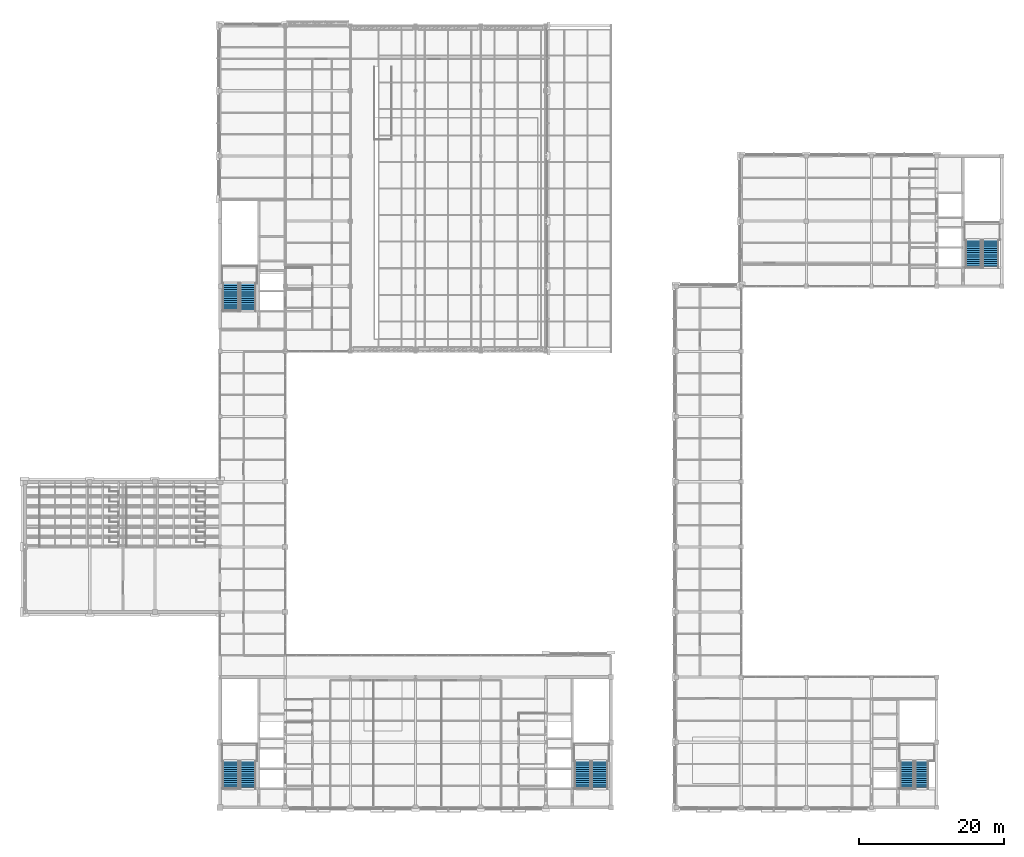
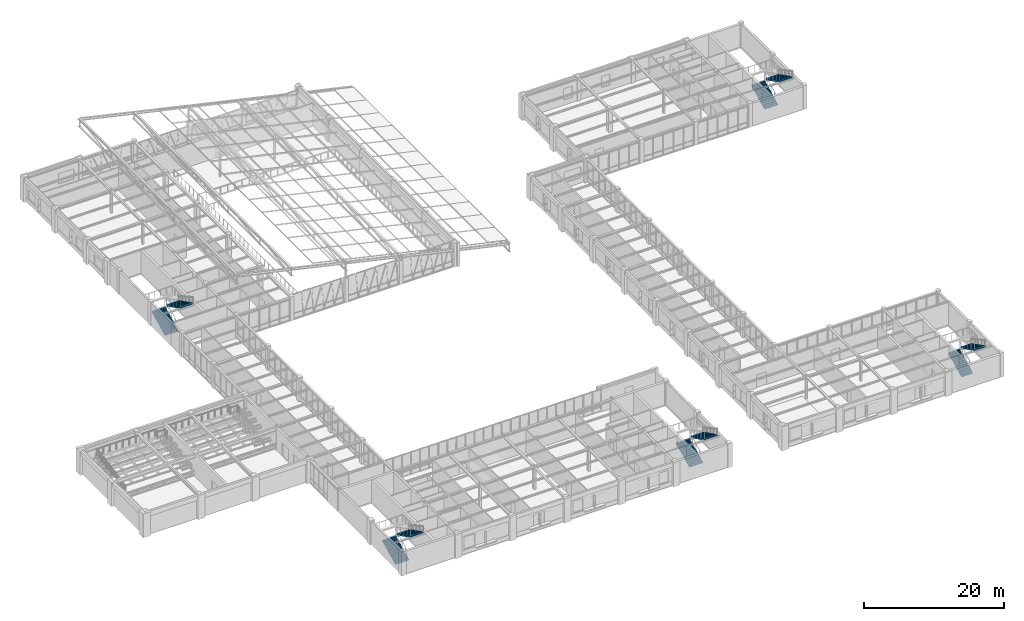
# One storey, part 117 of 130: 10 stair flights, 5 elements without a shape of their own.
"""IFC4 building model written with IfcOpenShell, lengths in metres."""

import ifcopenshell
import ifcopenshell.guid

model = None  # the IFC model being written
_history = None  # IfcOwnerHistory: only IFC2X3 demands one
_inside = {}  # id of a spatial element -> (the spatial element, [elements in it])
_under = {}  # id of a project, library or spatial element -> (it, [spatial elements below it])
_declared = {}  # id of a project -> (the project, [libraries it declares])
_typed = {}  # id of a type object -> (the type object, [elements of that type])
_made_of = {}  # id of a material, layer set ... -> (it, [elements and type objects made of it])


def new_model(schema):
    """Start an empty IFC model of exactly this schema.

    Asked for "IFC4X3", IfcOpenShell would pick the latest addendum, in which some entities
    have other attributes; the version numbers below select the first issue.
    IFC2X3 requires an IfcOwnerHistory on every rooted entity: one is made here for all.
    """
    global model, _history
    if schema == "IFC4X3":
        model = ifcopenshell.file(schema_version=(4, 3, 0, 0))
    else:
        model = ifcopenshell.file(schema=schema)
    _inside.clear()
    _under.clear()
    _declared.clear()
    _typed.clear()
    _made_of.clear()
    _history = None
    if model.schema == "IFC2X3":
        org = make("IfcOrganization", Name="unknown")
        user = make(
            "IfcPersonAndOrganization",
            ThePerson=make("IfcPerson", FamilyName="unknown"),
            TheOrganization=org,
        )
        app = make(
            "IfcApplication",
            ApplicationDeveloper=org,
            Version="unknown",
            ApplicationFullName="unknown",
            ApplicationIdentifier="unknown",
        )
        _history = make(
            "IfcOwnerHistory",
            OwningUser=user,
            OwningApplication=app,
            ChangeAction="ADDED",
            CreationDate=0,
        )
    return model


def make(cls, **values):
    """One entity of the class cls with the attributes given. An attribute that is None is left unset."""
    return model.create_entity(
        cls, **{name: value for name, value in values.items() if value is not None}
    )


def rooted(cls, **values):
    """An entity with a GlobalId (a new one), such as an element, a storey or a relation."""
    return make(cls, GlobalId=ifcopenshell.guid.new(), OwnerHistory=_history, **values)


def si_unit(unit_type, name, prefix=None):
    """IfcSIUnit, for example si_unit("LENGTHUNIT", "METRE", prefix="MILLI")."""
    return make("IfcSIUnit", UnitType=unit_type, Prefix=prefix, Name=name)


def assignment(units):
    """IfcUnitAssignment: the units of a project."""
    return None if units is None else make("IfcUnitAssignment", Units=units)


def point(xyz):
    """IfcCartesianPoint."""
    return None if xyz is None else make("IfcCartesianPoint", Coordinates=xyz)


def direction(xyz):
    """IfcDirection."""
    return None if xyz is None else make("IfcDirection", DirectionRatios=xyz)


def frame(location, z_axis=None, x_axis=None):
    """IfcAxis2Placement3D, a coordinate frame: its origin and axes. An axis left out is left unset."""
    return make(
        "IfcAxis2Placement3D",
        Location=point(location),
        Axis=direction(z_axis),
        RefDirection=direction(x_axis),
    )


def origin():
    """The frame at (0, 0, 0) with its axes left unset."""
    return frame((0.0, 0.0, 0.0))


def place(relative_to, where):
    """IfcLocalPlacement: puts the frame where relative to a parent placement (None: the world)."""
    return make(
        "IfcLocalPlacement", PlacementRelTo=relative_to, RelativePlacement=where
    )


def context(
    kind, dimensions, precision=None, world=None, true_north=None, identifier=None
):
    """IfcGeometricRepresentationContext, for example the 3D "Model" context."""
    return make(
        "IfcGeometricRepresentationContext",
        ContextIdentifier=identifier,
        ContextType=kind,
        CoordinateSpaceDimension=dimensions,
        Precision=precision,
        WorldCoordinateSystem=world,
        TrueNorth=true_north,
    )


def subcontext(parent, identifier, kind, view, scale=None):
    """IfcGeometricRepresentationSubContext, for example "Body" below "Model"."""
    return make(
        "IfcGeometricRepresentationSubContext",
        ContextIdentifier=identifier,
        ContextType=kind,
        ParentContext=parent,
        TargetScale=scale,
        TargetView=view,
    )


def project(units=None, contexts=None):
    """IfcProject with its units and contexts."""
    return rooted(
        "IfcProject",
        Name="project",
        RepresentationContexts=contexts,
        UnitsInContext=assignment(units),
    )


def spatial(cls, under=None, at=None, **own):
    """A site, building, storey or space (cls), placed at a placement, below another one or the project."""
    s = rooted(cls, ObjectPlacement=at, **own)
    if under is not None:
        _under.setdefault(under.id(), (under, []))[1].append(s)
    return s


def polyline(points):
    """IfcPolyline through the points."""
    return make("IfcPolyline", Points=[point(p) for p in points])


def outline(outer, holes=None, kind="AREA"):
    """IfcArbitraryClosedProfileDef: a profile drawn as a closed curve; with holes, ...WithVoids."""
    if holes is None:
        return make("IfcArbitraryClosedProfileDef", ProfileType=kind, OuterCurve=outer)
    return make(
        "IfcArbitraryProfileDefWithVoids",
        ProfileType=kind,
        OuterCurve=outer,
        InnerCurves=holes,
    )


def extrude(swept, where, along, depth):
    """IfcExtrudedAreaSolid: the profile swept, set in the frame where, extruded along a direction by depth."""
    return make(
        "IfcExtrudedAreaSolid",
        SweptArea=swept,
        Position=where,
        ExtrudedDirection=direction(along),
        Depth=depth,
    )


def shape(context_of_items, identifier, shape_type, items):
    """IfcShapeRepresentation: the items that make up one representation, for example the "Body"."""
    return make(
        "IfcShapeRepresentation",
        ContextOfItems=context_of_items,
        RepresentationIdentifier=identifier,
        RepresentationType=shape_type,
        Items=items,
    )


def material(Name=None, Category=None):
    """IfcMaterial."""
    return make("IfcMaterial", Name=Name, Category=Category)


def layer(
    of_material, thickness, ventilated=None, Name=None, Category=None, Priority=None
):
    """IfcMaterialLayer: one layer of a wall or slab, of a material (None: an air gap)."""
    return make(
        "IfcMaterialLayer",
        Material=of_material,
        LayerThickness=thickness,
        IsVentilated=ventilated,
        Name=Name,
        Category=Category,
        Priority=Priority,
    )


def layer_set(layers, Name=None):
    """IfcMaterialLayerSet."""
    return make("IfcMaterialLayerSet", MaterialLayers=layers, LayerSetName=Name)


def made_of(thing, what):
    """Note that an element or type object is made of a material, layer set ...; save() writes the relation."""
    if what is not None:
        _made_of.setdefault(what.id(), (what, []))[1].append(thing)
    return thing


def type_object(cls, material=None, **own):
    """A type object (cls), such as IfcWallType, which elements share."""
    return made_of(rooted(cls, **own), material)


def element(
    cls,
    number,
    at=None,
    inside=None,
    cuts=None,
    type_object=None,
    material=None,
    context=None,
    identifier="Body",
    shape_type=None,
    held_by="IfcProductDefinitionShape",
    body=None,
    shapes=None,
    **own,
):
    """One element of the class cls, such as IfcWall. Its Tag is "e" and its number.

    at: its placement. inside: the storey or other place that contains it. cuts: it is an
    opening in that element (IfcRelVoidsElement). A single representation is given by context,
    identifier, shape_type and body (its items); several are given by shapes. held_by: the class
    of the entity that holds the representations. save() writes the other relations.
    """
    e = rooted(cls, Tag="e%d" % number, ObjectPlacement=at, **own)
    if body is not None:
        shapes = [shape(context, identifier, shape_type, body)]
    if shapes is not None:
        e.Representation = make(held_by, Representations=shapes)
    if inside is not None:
        _inside.setdefault(inside.id(), (inside, []))[1].append(e)
    if cuts is not None:
        rooted(
            "IfcRelVoidsElement", RelatingBuildingElement=cuts, RelatedOpeningElement=e
        )
    if type_object is not None:
        _typed.setdefault(type_object.id(), (type_object, []))[1].append(e)
    return made_of(e, material)


def aggregate(whole, parts):
    """IfcRelAggregates: a whole, such as a stair, and the parts it consists of."""
    return rooted("IfcRelAggregates", RelatingObject=whole, RelatedObjects=parts)


def save(model, path):
    """Write the relations noted so far, then the file.

    IfcRelAggregates (storeys below a building ...), IfcRelContainedInSpatialStructure (elements
    in a storey), IfcRelDefinesByType, IfcRelAssociatesMaterial and IfcRelDeclares: one each for
    every whole, place, type object, material and project.
    """
    for whole, parts in _under.values():
        aggregate(whole, parts)
    for where, things in _inside.values():
        rooted(
            "IfcRelContainedInSpatialStructure",
            RelatedElements=things,
            RelatingStructure=where,
        )
    for kind, things in _typed.values():
        rooted("IfcRelDefinesByType", RelatedObjects=things, RelatingType=kind)
    for what, things in _made_of.values():
        rooted("IfcRelAssociatesMaterial", RelatedObjects=things, RelatingMaterial=what)
    for by, libraries in _declared.values():
        rooted("IfcRelDeclares", RelatingContext=by, RelatedDefinitions=libraries)
    model.write(path)


model = new_model("IFC4")

# Units and contexts
model_context = context("Model", 3, precision=1e-05, world=origin(), true_north=direction((0.0, 1.0)))
body_context = subcontext(model_context, "Body", "Model", "MODEL_VIEW")
ifc_project = project(units=[si_unit("LENGTHUNIT", "METRE"), si_unit("AREAUNIT", "SQUARE_METRE"), si_unit("VOLUMEUNIT", "CUBIC_METRE"), si_unit("PLANEANGLEUNIT", "RADIAN"), si_unit("MASSUNIT", "GRAM", prefix="KILO")], contexts=[model_context])

# Site, building, storey
site_placement = place(None, origin())
site = spatial("IfcSite", under=ifc_project, at=site_placement, CompositionType="ELEMENT")
building_placement = place(site_placement, origin())
building = spatial("IfcBuilding", under=site, at=building_placement, Name="Lykobir Media Centre", CompositionType="ELEMENT")
storey_placement = place(building_placement, frame((0.0, 0.0, 19.199951171875)))
storey = spatial("IfcBuildingStorey", under=building, at=storey_placement, Name="L04", CompositionType="ELEMENT", Elevation=19.199951171875)

# Stair, stair flights
ifc_material = material(Name="Concrete C30/37", Category="concrete")
stair_type_1 = type_object("IfcStairType", Name="ST-AUX-420", PredefinedType="HALF_TURN_STAIR", material=ifc_material)
stair_1_placement = place(storey_placement, origin())
stair_1 = element("IfcStair", 1, at=stair_1_placement, inside=storey, type_object=stair_type_1, Name="Escape stair ST-5 L04", PredefinedType="HALF_TURN_STAIR")
ifc_layer_1 = layer(ifc_material, 0.14990234375, Name="Concrete C30/37")
ifc_layer_set_1 = layer_set([ifc_layer_1], Name="Concrete C30/37")
stair_flight_type_1 = type_object("IfcStairFlightType", Name="FL-185-14", PredefinedType="STRAIGHT", material=ifc_layer_set_1)
stair_flight_1_placement = place(storey_placement, frame((121.89501953125, 2.530029296875, 0.0), z_axis=(0.0, 0.0, 1.0), x_axis=(0.0, 1.0, 0.0)))
stair_flight_1 = element("IfcStairFlight", 2, at=stair_flight_1_placement, type_object=stair_flight_type_1, Name="ST-5-L04 flight 1", NumberOfRisers=14, NumberOfTreads=13, PredefinedType="STRAIGHT", RiserHeight=0.15, TreadLength=0.3, context=body_context, shape_type="SweptSolid", body=[
    extrude(outline(polyline([(0.0, 0.0), (0.0, 0.14990234375), (0.300048828125, 0.14990234375), (0.300048828125, 0.300048828125), (0.60009765625, 0.300048828125), (0.60009765625, 0.449951171875), (0.89990234375, 0.449951171875), (0.89990234375, 0.60009765625), (1.199951171875, 0.60009765625), (1.199951171875, 0.75), (1.5, 0.75), (1.5, 0.89990234375), (1.800048828125, 0.89990234375), (1.800048828125, 1.050048828125), (2.10009765625, 1.050048828125), (2.10009765625, 1.199951171875), (2.39990234375, 1.199951171875), (2.39990234375, 1.35009765625), (2.699951171875, 1.35009765625), (2.699951171875, 1.5), (3.0, 1.5), (3.0, 1.64990234375), (3.300048828125, 1.64990234375), (3.300048828125, 1.800048828125), (3.60009765625, 1.800048828125), (3.60009765625, 1.949951171875), (3.89990234375, 1.949951171875), (3.89990234375, 2.10009765625), (3.89990234375, 1.771240234375), (0.357666015625, 0.0), (0.0, 0.0)])), frame((0.0, 0.925048828125, 0.0), z_axis=(0.0, -1.0, 0.0), x_axis=(1.0, 0.0, 0.0)), (0.0, 0.0, 1.0), 1.85009765625),
])
stair_flight_2_placement = place(storey_placement, frame((123.945068359375, 6.429931640625, 2.10009765625), z_axis=(0.0, 0.0, 1.0), x_axis=(0.0, -1.0, 0.0)))
stair_flight_2 = element("IfcStairFlight", 3, at=stair_flight_2_placement, type_object=stair_flight_type_1, Name="ST-5-L04 flight 2", NumberOfRisers=14, NumberOfTreads=13, PredefinedType="STRAIGHT", RiserHeight=0.15, TreadLength=0.3, context=body_context, shape_type="SweptSolid", body=[
    extrude(outline(polyline([(0.0, 0.0), (0.0, 0.14990234375), (0.300048828125, 0.14990234375), (0.300048828125, 0.300048828125), (0.60009765625, 0.300048828125), (0.60009765625, 0.449951171875), (0.89990234375, 0.449951171875), (0.89990234375, 0.60009765625), (1.199951171875, 0.60009765625), (1.199951171875, 0.75), (1.5, 0.75), (1.5, 0.89990234375), (1.800048828125, 0.89990234375), (1.800048828125, 1.050048828125), (2.10009765625, 1.050048828125), (2.10009765625, 1.199951171875), (2.39990234375, 1.199951171875), (2.39990234375, 1.35009765625), (2.699951171875, 1.35009765625), (2.699951171875, 1.5), (3.0, 1.5), (3.0, 1.64990234375), (3.300048828125, 1.64990234375), (3.300048828125, 1.800048828125), (3.60009765625, 1.800048828125), (3.60009765625, 1.949951171875), (3.89990234375, 1.949951171875), (3.89990234375, 2.10009765625), (3.89990234375, 1.771240234375), (0.357666015625, 0.0), (0.0, 0.0)])), frame((0.0, 0.925048828125, 0.0), z_axis=(0.0, -1.0, 0.0), x_axis=(1.0, 0.0, 0.0)), (0.0, 0.0, 1.0), 1.85009765625),
])
aggregate(stair_1, [stair_flight_1, stair_flight_2])

stair_type_2 = type_object("IfcStairType", Name="ST-HT-420", PredefinedType="HALF_TURN_STAIR", material=ifc_material)
stair_2_placement = place(storey_placement, origin())
stair_2 = element("IfcStair", 4, at=stair_2_placement, inside=storey, type_object=stair_type_2, Name="Escape stair ST-1 L04", PredefinedType="HALF_TURN_STAIR")
ifc_layer_2 = layer(ifc_material, 0.14990234375, Name="Concrete C30/37")
ifc_layer_set_2 = layer_set([ifc_layer_2], Name="Concrete C30/37")
stair_flight_type_2 = type_object("IfcStairFlightType", Name="FL-220-14", PredefinedType="STRAIGHT", material=ifc_layer_set_2)
stair_flight_3_placement = place(storey_placement, frame((28.469970703125, 2.530029296875, 0.0), z_axis=(0.0, 0.0, 1.0), x_axis=(0.0, 1.0, 0.0)))
stair_flight_3 = element("IfcStairFlight", 5, at=stair_flight_3_placement, type_object=stair_flight_type_2, Name="ST-1-L04 flight 1", NumberOfRisers=14, NumberOfTreads=13, PredefinedType="STRAIGHT", RiserHeight=0.15, TreadLength=0.3, context=body_context, shape_type="SweptSolid", body=[
    extrude(outline(polyline([(0.0, 0.0), (0.0, 0.14990234375), (0.300048828125, 0.14990234375), (0.300048828125, 0.300048828125), (0.60009765625, 0.300048828125), (0.60009765625, 0.449951171875), (0.89990234375, 0.449951171875), (0.89990234375, 0.60009765625), (1.199951171875, 0.60009765625), (1.199951171875, 0.75), (1.5, 0.75), (1.5, 0.89990234375), (1.800048828125, 0.89990234375), (1.800048828125, 1.050048828125), (2.10009765625, 1.050048828125), (2.10009765625, 1.199951171875), (2.39990234375, 1.199951171875), (2.39990234375, 1.35009765625), (2.699951171875, 1.35009765625), (2.699951171875, 1.5), (3.0, 1.5), (3.0, 1.64990234375), (3.300048828125, 1.64990234375), (3.300048828125, 1.800048828125), (3.60009765625, 1.800048828125), (3.60009765625, 1.949951171875), (3.89990234375, 1.949951171875), (3.89990234375, 2.10009765625), (3.89990234375, 1.771240234375), (0.357666015625, 0.0), (0.0, 0.0)])), frame((0.0, 1.10009765625, 0.0), z_axis=(0.0, -1.0, 0.0), x_axis=(1.0, 0.0, 0.0)), (0.0, 0.0, 1.0), 2.199951171875),
])
stair_flight_4_placement = place(storey_placement, frame((30.8701171875, 6.429931640625, 2.10009765625), z_axis=(0.0, 0.0, 1.0), x_axis=(0.0, -1.0, 0.0)))
stair_flight_4 = element("IfcStairFlight", 6, at=stair_flight_4_placement, type_object=stair_flight_type_2, Name="ST-1-L04 flight 2", NumberOfRisers=14, NumberOfTreads=13, PredefinedType="STRAIGHT", RiserHeight=0.15, TreadLength=0.3, context=body_context, shape_type="SweptSolid", body=[
    extrude(outline(polyline([(0.0, 0.0), (0.0, 0.14990234375), (0.300048828125, 0.14990234375), (0.300048828125, 0.300048828125), (0.60009765625, 0.300048828125), (0.60009765625, 0.449951171875), (0.89990234375, 0.449951171875), (0.89990234375, 0.60009765625), (1.199951171875, 0.60009765625), (1.199951171875, 0.75), (1.5, 0.75), (1.5, 0.89990234375), (1.800048828125, 0.89990234375), (1.800048828125, 1.050048828125), (2.10009765625, 1.050048828125), (2.10009765625, 1.199951171875), (2.39990234375, 1.199951171875), (2.39990234375, 1.35009765625), (2.699951171875, 1.35009765625), (2.699951171875, 1.5), (3.0, 1.5), (3.0, 1.64990234375), (3.300048828125, 1.64990234375), (3.300048828125, 1.800048828125), (3.60009765625, 1.800048828125), (3.60009765625, 1.949951171875), (3.89990234375, 1.949951171875), (3.89990234375, 2.10009765625), (3.89990234375, 1.771240234375), (0.357666015625, 0.0), (0.0, 0.0)])), frame((0.0, 1.10009765625, 0.0), z_axis=(0.0, -1.0, 0.0), x_axis=(1.0, 0.0, 0.0)), (0.0, 0.0, 1.0), 2.199951171875),
])
aggregate(stair_2, [stair_flight_3, stair_flight_4])

stair_3_placement = place(storey_placement, origin())
stair_3 = element("IfcStair", 7, at=stair_3_placement, inside=storey, type_object=stair_type_2, Name="Escape stair ST-2 L04", PredefinedType="HALF_TURN_STAIR")
stair_flight_5_placement = place(storey_placement, frame((77.070068359375, 2.530029296875, 0.0), z_axis=(0.0, 0.0, 1.0), x_axis=(0.0, 1.0, 0.0)))
stair_flight_5 = element("IfcStairFlight", 8, at=stair_flight_5_placement, type_object=stair_flight_type_2, Name="ST-2-L04 flight 1", NumberOfRisers=14, NumberOfTreads=13, PredefinedType="STRAIGHT", RiserHeight=0.15, TreadLength=0.3, context=body_context, shape_type="SweptSolid", body=[
    extrude(outline(polyline([(0.0, 0.0), (0.0, 0.14990234375), (0.300048828125, 0.14990234375), (0.300048828125, 0.300048828125), (0.60009765625, 0.300048828125), (0.60009765625, 0.449951171875), (0.89990234375, 0.449951171875), (0.89990234375, 0.60009765625), (1.199951171875, 0.60009765625), (1.199951171875, 0.75), (1.5, 0.75), (1.5, 0.89990234375), (1.800048828125, 0.89990234375), (1.800048828125, 1.050048828125), (2.10009765625, 1.050048828125), (2.10009765625, 1.199951171875), (2.39990234375, 1.199951171875), (2.39990234375, 1.35009765625), (2.699951171875, 1.35009765625), (2.699951171875, 1.5), (3.0, 1.5), (3.0, 1.64990234375), (3.300048828125, 1.64990234375), (3.300048828125, 1.800048828125), (3.60009765625, 1.800048828125), (3.60009765625, 1.949951171875), (3.89990234375, 1.949951171875), (3.89990234375, 2.10009765625), (3.89990234375, 1.771240234375), (0.357666015625, 0.0), (0.0, 0.0)])), frame((0.0, 1.10009765625, 0.0), z_axis=(0.0, -1.0, 0.0), x_axis=(1.0, 0.0, 0.0)), (0.0, 0.0, 1.0), 2.199951171875),
])
stair_flight_6_placement = place(storey_placement, frame((79.469970703125, 6.429931640625, 2.10009765625), z_axis=(0.0, 0.0, 1.0), x_axis=(0.0, -1.0, 0.0)))
stair_flight_6 = element("IfcStairFlight", 9, at=stair_flight_6_placement, type_object=stair_flight_type_2, Name="ST-2-L04 flight 2", NumberOfRisers=14, NumberOfTreads=13, PredefinedType="STRAIGHT", RiserHeight=0.15, TreadLength=0.3, context=body_context, shape_type="SweptSolid", body=[
    extrude(outline(polyline([(0.0, 0.0), (0.0, 0.14990234375), (0.300048828125, 0.14990234375), (0.300048828125, 0.300048828125), (0.60009765625, 0.300048828125), (0.60009765625, 0.449951171875), (0.89990234375, 0.449951171875), (0.89990234375, 0.60009765625), (1.199951171875, 0.60009765625), (1.199951171875, 0.75), (1.5, 0.75), (1.5, 0.89990234375), (1.800048828125, 0.89990234375), (1.800048828125, 1.050048828125), (2.10009765625, 1.050048828125), (2.10009765625, 1.199951171875), (2.39990234375, 1.199951171875), (2.39990234375, 1.35009765625), (2.699951171875, 1.35009765625), (2.699951171875, 1.5), (3.0, 1.5), (3.0, 1.64990234375), (3.300048828125, 1.64990234375), (3.300048828125, 1.800048828125), (3.60009765625, 1.800048828125), (3.60009765625, 1.949951171875), (3.89990234375, 1.949951171875), (3.89990234375, 2.10009765625), (3.89990234375, 1.771240234375), (0.357666015625, 0.0), (0.0, 0.0)])), frame((0.0, 1.10009765625, 0.0), z_axis=(0.0, -1.0, 0.0), x_axis=(1.0, 0.0, 0.0)), (0.0, 0.0, 1.0), 2.199951171875),
])
aggregate(stair_3, [stair_flight_5, stair_flight_6])

stair_4_placement = place(storey_placement, origin())
stair_4 = element("IfcStair", 10, at=stair_4_placement, inside=storey, type_object=stair_type_2, Name="Escape stair ST-3 L04", PredefinedType="HALF_TURN_STAIR")
stair_flight_7_placement = place(storey_placement, frame((28.469970703125, 68.530029296875, 0.0), z_axis=(0.0, 0.0, 1.0), x_axis=(0.0, 1.0, 0.0)))
stair_flight_7 = element("IfcStairFlight", 11, at=stair_flight_7_placement, type_object=stair_flight_type_2, Name="ST-3-L04 flight 1", NumberOfRisers=14, NumberOfTreads=13, PredefinedType="STRAIGHT", RiserHeight=0.15, TreadLength=0.3, context=body_context, shape_type="SweptSolid", body=[
    extrude(outline(polyline([(0.0, 0.0), (0.0, 0.14990234375), (0.300048828125, 0.14990234375), (0.300048828125, 0.300048828125), (0.60009765625, 0.300048828125), (0.60009765625, 0.449951171875), (0.89990234375, 0.449951171875), (0.89990234375, 0.60009765625), (1.199951171875, 0.60009765625), (1.199951171875, 0.75), (1.5, 0.75), (1.5, 0.89990234375), (1.800048828125, 0.89990234375), (1.800048828125, 1.050048828125), (2.10009765625, 1.050048828125), (2.10009765625, 1.199951171875), (2.39990234375, 1.199951171875), (2.39990234375, 1.35009765625), (2.699951171875, 1.35009765625), (2.699951171875, 1.5), (3.0, 1.5), (3.0, 1.64990234375), (3.300048828125, 1.64990234375), (3.300048828125, 1.800048828125), (3.60009765625, 1.800048828125), (3.60009765625, 1.949951171875), (3.89990234375, 1.949951171875), (3.89990234375, 2.10009765625), (3.89990234375, 1.771240234375), (0.357666015625, 0.0), (0.0, 0.0)])), frame((0.0, 1.10009765625, 0.0), z_axis=(0.0, -1.0, 0.0), x_axis=(1.0, 0.0, 0.0)), (0.0, 0.0, 1.0), 2.199951171875),
])
stair_flight_8_placement = place(storey_placement, frame((30.8701171875, 72.429931640625, 2.10009765625), z_axis=(0.0, 0.0, 1.0), x_axis=(0.0, -1.0, 0.0)))
stair_flight_8 = element("IfcStairFlight", 12, at=stair_flight_8_placement, type_object=stair_flight_type_2, Name="ST-3-L04 flight 2", NumberOfRisers=14, NumberOfTreads=13, PredefinedType="STRAIGHT", RiserHeight=0.15, TreadLength=0.3, context=body_context, shape_type="SweptSolid", body=[
    extrude(outline(polyline([(0.0, 0.0), (0.0, 0.14990234375), (0.300048828125, 0.14990234375), (0.300048828125, 0.300048828125), (0.60009765625, 0.300048828125), (0.60009765625, 0.449951171875), (0.89990234375, 0.449951171875), (0.89990234375, 0.60009765625), (1.199951171875, 0.60009765625), (1.199951171875, 0.75), (1.5, 0.75), (1.5, 0.89990234375), (1.800048828125, 0.89990234375), (1.800048828125, 1.050048828125), (2.10009765625, 1.050048828125), (2.10009765625, 1.199951171875), (2.39990234375, 1.199951171875), (2.39990234375, 1.35009765625), (2.699951171875, 1.35009765625), (2.699951171875, 1.5), (3.0, 1.5), (3.0, 1.64990234375), (3.300048828125, 1.64990234375), (3.300048828125, 1.800048828125), (3.60009765625, 1.800048828125), (3.60009765625, 1.949951171875), (3.89990234375, 1.949951171875), (3.89990234375, 2.10009765625), (3.89990234375, 1.771240234375), (0.357666015625, 0.0), (0.0, 0.0)])), frame((0.0, 1.10009765625, 0.0), z_axis=(0.0, -1.0, 0.0), x_axis=(1.0, 0.0, 0.0)), (0.0, 0.0, 1.0), 2.199951171875),
])
aggregate(stair_4, [stair_flight_7, stair_flight_8])

stair_5_placement = place(storey_placement, origin())
stair_5 = element("IfcStair", 13, at=stair_5_placement, inside=storey, type_object=stair_type_2, Name="Escape stair ST-4 L04", PredefinedType="HALF_TURN_STAIR")
stair_flight_9_placement = place(storey_placement, frame((131.070068359375, 74.530029296875, 0.0), z_axis=(0.0, 0.0, 1.0), x_axis=(0.0, 1.0, 0.0)))
stair_flight_9 = element("IfcStairFlight", 14, at=stair_flight_9_placement, type_object=stair_flight_type_2, Name="ST-4-L04 flight 1", NumberOfRisers=14, NumberOfTreads=13, PredefinedType="STRAIGHT", RiserHeight=0.15, TreadLength=0.3, context=body_context, shape_type="SweptSolid", body=[
    extrude(outline(polyline([(0.0, 0.0), (0.0, 0.14990234375), (0.300048828125, 0.14990234375), (0.300048828125, 0.300048828125), (0.60009765625, 0.300048828125), (0.60009765625, 0.449951171875), (0.89990234375, 0.449951171875), (0.89990234375, 0.60009765625), (1.199951171875, 0.60009765625), (1.199951171875, 0.75), (1.5, 0.75), (1.5, 0.89990234375), (1.800048828125, 0.89990234375), (1.800048828125, 1.050048828125), (2.10009765625, 1.050048828125), (2.10009765625, 1.199951171875), (2.39990234375, 1.199951171875), (2.39990234375, 1.35009765625), (2.699951171875, 1.35009765625), (2.699951171875, 1.5), (3.0, 1.5), (3.0, 1.64990234375), (3.300048828125, 1.64990234375), (3.300048828125, 1.800048828125), (3.60009765625, 1.800048828125), (3.60009765625, 1.949951171875), (3.89990234375, 1.949951171875), (3.89990234375, 2.10009765625), (3.89990234375, 1.771240234375), (0.357666015625, 0.0), (0.0, 0.0)])), frame((0.0, 1.10009765625, 0.0), z_axis=(0.0, -1.0, 0.0), x_axis=(1.0, 0.0, 0.0)), (0.0, 0.0, 1.0), 2.199951171875),
])
stair_flight_10_placement = place(storey_placement, frame((133.469970703125, 78.429931640625, 2.10009765625), z_axis=(0.0, 0.0, 1.0), x_axis=(0.0, -1.0, 0.0)))
stair_flight_10 = element("IfcStairFlight", 15, at=stair_flight_10_placement, type_object=stair_flight_type_2, Name="ST-4-L04 flight 2", NumberOfRisers=14, NumberOfTreads=13, PredefinedType="STRAIGHT", RiserHeight=0.15, TreadLength=0.3, context=body_context, shape_type="SweptSolid", body=[
    extrude(outline(polyline([(0.0, 0.0), (0.0, 0.14990234375), (0.300048828125, 0.14990234375), (0.300048828125, 0.300048828125), (0.60009765625, 0.300048828125), (0.60009765625, 0.449951171875), (0.89990234375, 0.449951171875), (0.89990234375, 0.60009765625), (1.199951171875, 0.60009765625), (1.199951171875, 0.75), (1.5, 0.75), (1.5, 0.89990234375), (1.800048828125, 0.89990234375), (1.800048828125, 1.050048828125), (2.10009765625, 1.050048828125), (2.10009765625, 1.199951171875), (2.39990234375, 1.199951171875), (2.39990234375, 1.35009765625), (2.699951171875, 1.35009765625), (2.699951171875, 1.5), (3.0, 1.5), (3.0, 1.64990234375), (3.300048828125, 1.64990234375), (3.300048828125, 1.800048828125), (3.60009765625, 1.800048828125), (3.60009765625, 1.949951171875), (3.89990234375, 1.949951171875), (3.89990234375, 2.10009765625), (3.89990234375, 1.771240234375), (0.357666015625, 0.0), (0.0, 0.0)])), frame((0.0, 1.10009765625, 0.0), z_axis=(0.0, -1.0, 0.0), x_axis=(1.0, 0.0, 0.0)), (0.0, 0.0, 1.0), 2.199951171875),
])
aggregate(stair_5, [stair_flight_9, stair_flight_10])

save(model, "model.ifc")
